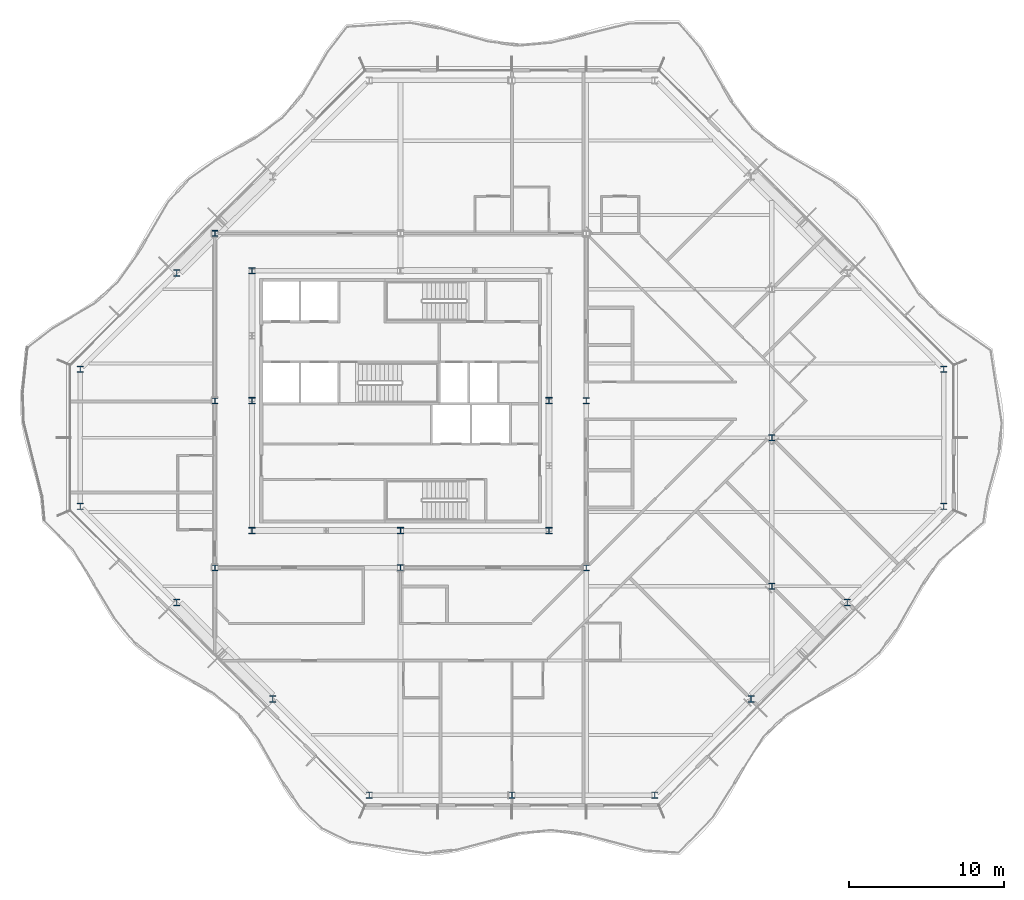
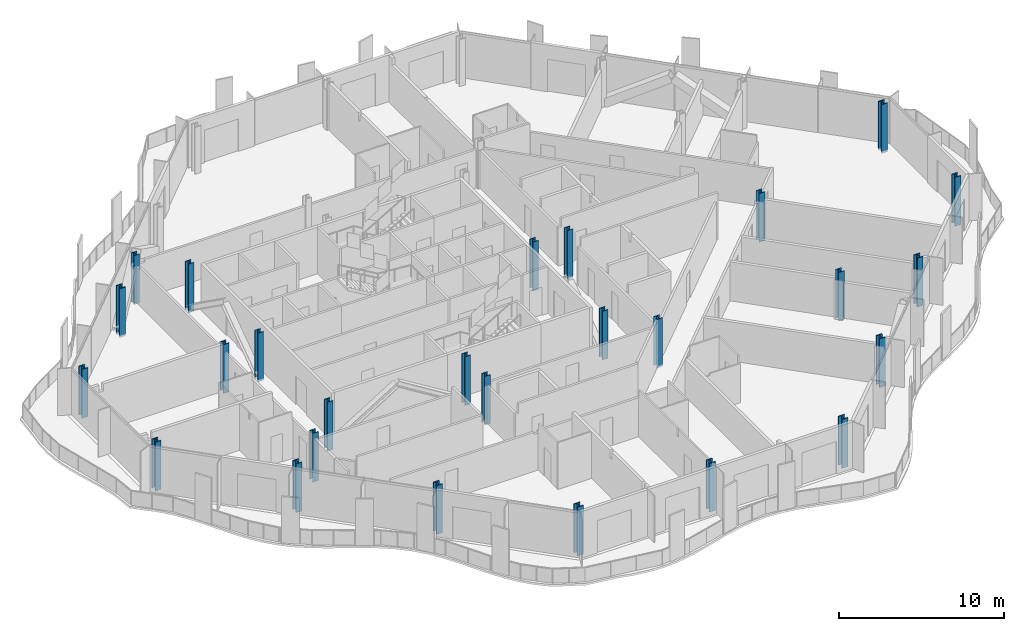
# One storey, part 1 of 17: 26 columns.
"""IFC4 building model written with IfcOpenShell, lengths in metres."""

from ifc_helpers import new_model, si_unit, direction, frame, origin, origin_2d, place, context, subcontext, project, spatial, i_section, extrude, material, material_profile, profile_set, type_object, element, save


model = new_model("IFC4")

# Units and contexts
model_context = context("Model", 3, precision=1e-05, world=origin(), true_north=direction((0.0, 1.0)))
body_context = subcontext(model_context, "Body", "Model", "MODEL_VIEW")
ifc_project = project(units=[si_unit("LENGTHUNIT", "METRE"), si_unit("AREAUNIT", "SQUARE_METRE"), si_unit("VOLUMEUNIT", "CUBIC_METRE"), si_unit("PLANEANGLEUNIT", "RADIAN"), si_unit("MASSUNIT", "GRAM", prefix="KILO")], contexts=[model_context])

# Site, building, storey
site_placement = place(None, origin())
site = spatial("IfcSite", under=ifc_project, at=site_placement, CompositionType="ELEMENT")
building_placement = place(site_placement, origin())
building = spatial("IfcBuilding", under=site, at=building_placement, Name="Cairn Pilgrim Tower", CompositionType="ELEMENT")
storey_placement = place(building_placement, frame((0.0, 0.0, 221.39990234375)))
storey = spatial("IfcBuildingStorey", under=building, at=storey_placement, Name="L56", CompositionType="ELEMENT", Elevation=221.39990234375)

# Columns
ifc_material_1 = material(Name="Structural steel S355J2", Category="steel")
ifc_material_profile_1 = material_profile(ifc_material_1, i_section(OverallWidth=0.39892578125, OverallDepth=0.39306640625, WebThickness=0.022705078125, FlangeThickness=0.03662109375, FilletRadius=0.014892578125, at=origin_2d()), Name="HD 400x287")
ifc_profile_set_1 = profile_set([ifc_material_profile_1], Name="Structural steel S355J2")
column_type_1 = type_object("IfcColumnType", Name="HD 400x287", PredefinedType="COLUMN", material=ifc_profile_set_1)
for number, where, z_axis, x_axis, name in (
    (1, (-4.800048828125, -8.39990234375, -0.14990234375), (0.0, 0.0, 1.0), (1.0, 0.0, 0.0), "IC-1"),
    (2, (7.199951171875, -8.39990234375, -0.14990234375), (0.0, 0.0, 1.0), (1.0, 0.0, 0.0), "IC-2"),
    (3, (19.199951171875, -8.39990234375, -0.14990234375), (0.0, 0.0, 1.0), (1.0, 0.0, 0.0), "IC-3"),
    (4, (-4.800048828125, 2.39990234375, -0.14990234375), (0.0, 0.0, 1.0), (1.0, 0.0, 0.0), "IC-4"),
    (5, (19.199951171875, 2.39990234375, -0.14990234375), (0.0, 0.0, 1.0), (1.0, 0.0, 0.0), "IC-5"),
    (6, (-4.800048828125, 13.199951171875, -0.14990234375), (0.0, 0.0, 1.0), (1.0, 0.0, 0.0), "IC-6"),
    (7, (31.199951171875, -9.60009765625, -0.14990234375), (0.0, 0.0, 1.0), (1.0, 0.0, 0.0), "WC-WE-2"),
    (8, (31.199951171875, 0.0, -0.14990234375), (0.0, 0.0, 1.0), (1.0, 0.0, 0.0), "WC-WE+0"),
):
    element("IfcColumn", number, at=place(storey_placement, frame(where, z_axis=z_axis, x_axis=x_axis)), inside=storey, type_object=column_type_1, Name=name, PredefinedType="COLUMN", context=body_context, shape_type="SweptSolid", body=[
        extrude(i_section(OverallWidth=0.39892578125, OverallDepth=0.39306640625, WebThickness=0.022705078125, FlangeThickness=0.03662109375, FilletRadius=0.014892578125, at=origin_2d()), origin(), (0.0, 0.0, 1.0), 3.60009765625),
    ])
ifc_material_2 = material(Name="Structural steel S460M", Category="steel")
ifc_material_profile_2 = material_profile(ifc_material_2, i_section(OverallWidth=0.404052734375, OverallDepth=0.406982421875, WebThickness=0.027099609375, FlangeThickness=0.043701171875, FilletRadius=0.014892578125, at=origin_2d()), Name="HD 400x347")
ifc_profile_set_2 = profile_set([ifc_material_profile_2], Name="Structural steel S460M")
column_type_2 = type_object("IfcColumnType", Name="HD 400x347", PredefinedType="COLUMN", material=ifc_profile_set_2)
for number, where, z_axis, x_axis, name in (
    (9, (-2.39990234375, -6.0, -0.14990234375), (0.0, 0.0, 1.0), (1.0, 0.0, 0.0), "KC-1"),
    (10, (7.199951171875, -6.0, -0.14990234375), (0.0, 0.0, 1.0), (1.0, 0.0, 0.0), "KC-2"),
    (11, (16.800048828125, -6.0, -0.14990234375), (0.0, 0.0, 1.0), (1.0, 0.0, 0.0), "KC-3"),
    (12, (-2.39990234375, 2.39990234375, -0.14990234375), (0.0, 0.0, 1.0), (1.0, 0.0, 0.0), "KC-4"),
    (13, (16.800048828125, 2.39990234375, -0.14990234375), (0.0, 0.0, 1.0), (1.0, 0.0, 0.0), "KC-5"),
    (14, (-2.39990234375, 10.800048828125, -0.14990234375), (0.0, 0.0, 1.0), (1.0, 0.0, 0.0), "KC-6"),
):
    element("IfcColumn", number, at=place(storey_placement, frame(where, z_axis=z_axis, x_axis=x_axis)), inside=storey, type_object=column_type_2, Name=name, PredefinedType="COLUMN", context=body_context, shape_type="SweptSolid", body=[
        extrude(i_section(OverallWidth=0.404052734375, OverallDepth=0.406982421875, WebThickness=0.027099609375, FlangeThickness=0.043701171875, FilletRadius=0.014892578125, at=origin_2d()), origin(), (0.0, 0.0, 1.0), 3.60009765625),
    ])
ifc_material_profile_3 = material_profile(ifc_material_2, i_section(OverallWidth=0.416015625, OverallDepth=0.446044921875, WebThickness=0.0390625, FlangeThickness=0.062744140625, FilletRadius=0.014892578125, at=origin_2d()), Name="HD 400x509")
ifc_profile_set_3 = profile_set([ifc_material_profile_3], Name="Structural steel S460M")
column_type_3 = type_object("IfcColumnType", Name="HD 400x509", PredefinedType="COLUMN", material=ifc_profile_set_3)
for number, where, z_axis, x_axis, name in (
    (15, (5.1728515625, -23.10009765625, -0.14990234375), (0.0, 0.0, 1.0), (1.0, 0.0, 0.0), "PC3-S1"),
    (16, (14.39990234375, -23.10009765625, -0.14990234375), (0.0, 0.0, 1.0), (1.0, 0.0, 0.0), "PC3-S2"),
    (17, (23.627197265625, -23.10009765625, -0.14990234375), (0.0, 0.0, 1.0), (1.0, 0.0, 0.0), "PC3-SE1"),
    (18, (29.8515625, -16.875732421875, -0.14990234375), (0.0, 0.0, 1.0), (1.0, 0.0, 0.0), "PC3-SE2"),
    (19, (36.07568359375, -10.651611328125, -0.14990234375), (0.0, 0.0, 1.0), (1.0, 0.0, 0.0), "PC3-SE3"),
    (20, (42.300048828125, -4.42724609375, -0.14990234375), (0.0, 0.0, 1.0), (1.0, 0.0, 0.0), "PC3-E1"),
    (21, (42.300048828125, 4.42724609375, -0.14990234375), (0.0, 0.0, 1.0), (1.0, 0.0, 0.0), "PC3-NE1"),
    (22, (-7.275634765625, 10.651611328125, -0.14990234375), (0.0, 0.0, 1.0), (1.0, 0.0, 0.0), "PC3-NW3"),
    (23, (-13.5, 4.42724609375, -0.14990234375), (0.0, 0.0, 1.0), (1.0, 0.0, 0.0), "PC3-W1"),
    (24, (-13.5, -4.42724609375, -0.14990234375), (0.0, 0.0, 1.0), (1.0, 0.0, 0.0), "PC3-SW1"),
    (25, (-7.275634765625, -10.651611328125, -0.14990234375), (0.0, 0.0, 1.0), (1.0, 0.0, 0.0), "PC3-SW2"),
    (26, (-1.051513671875, -16.875732421875, -0.14990234375), (0.0, 0.0, 1.0), (1.0, 0.0, 0.0), "PC3-SW3"),
):
    element("IfcColumn", number, at=place(storey_placement, frame(where, z_axis=z_axis, x_axis=x_axis)), inside=storey, type_object=column_type_3, Name=name, PredefinedType="COLUMN", context=body_context, shape_type="SweptSolid", body=[
        extrude(i_section(OverallWidth=0.416015625, OverallDepth=0.446044921875, WebThickness=0.0390625, FlangeThickness=0.062744140625, FilletRadius=0.014892578125, at=origin_2d()), origin(), (0.0, 0.0, 1.0), 3.60009765625),
    ])

save(model, "model.ifc")
